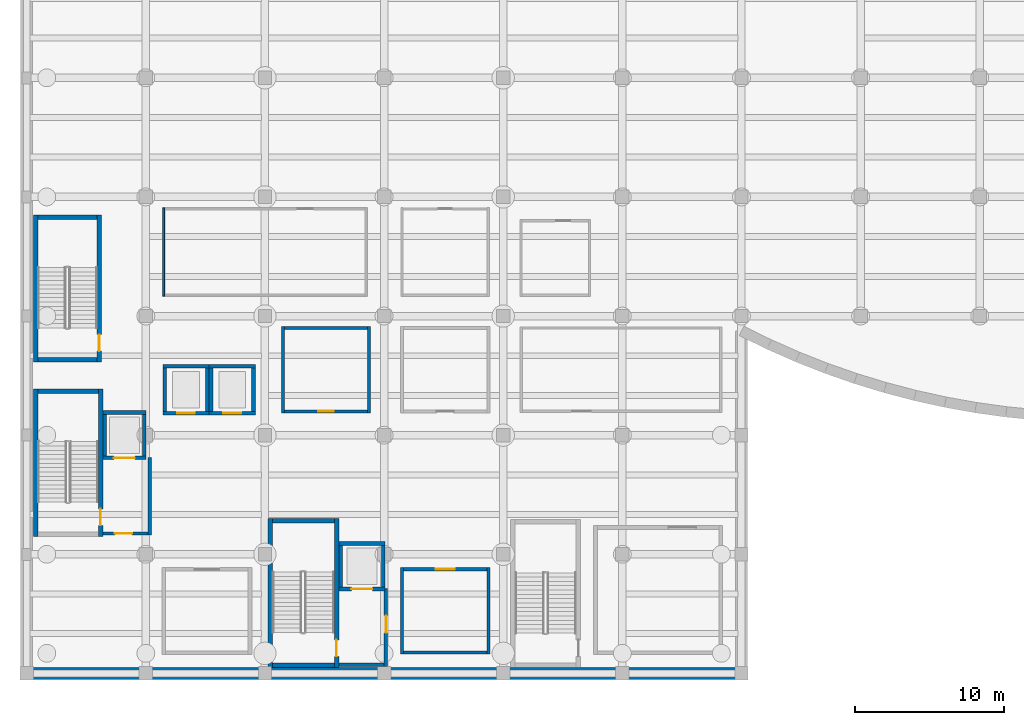
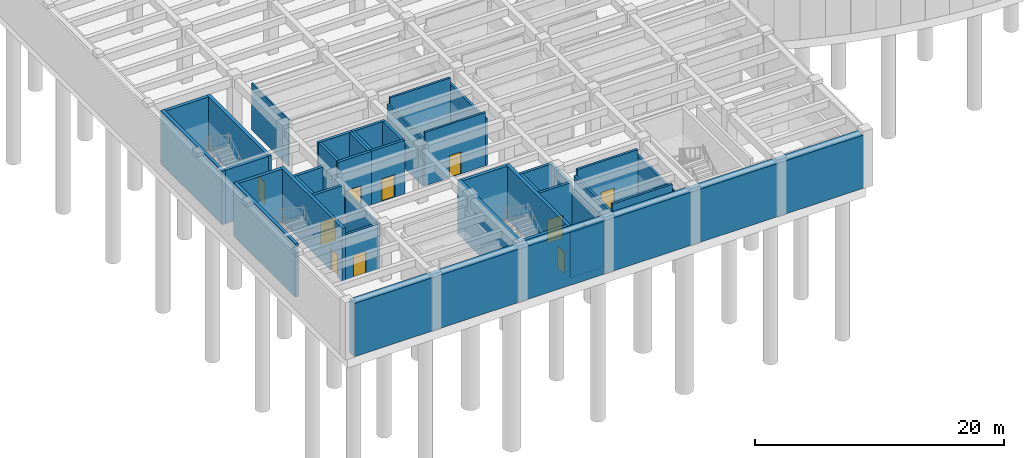
# One storey, part 6 of 18: 41 walls, 11 doors, 11 openings.
"""IFC4 building model written with IfcOpenShell, lengths in metres."""

from ifc_helpers import new_model, si_unit, direction, frame, frame_2d, origin, place, context, subcontext, project, spatial, rectangle, extrude, material, layer, layer_set, type_object, element, fill, save


model = new_model("IFC4")

# Units and contexts
model_context = context("Model", 3, precision=1e-05, world=origin(), true_north=direction((0.0, 1.0)))
body_context = subcontext(model_context, "Body", "Model", "MODEL_VIEW")
ifc_project = project(units=[si_unit("LENGTHUNIT", "METRE"), si_unit("AREAUNIT", "SQUARE_METRE"), si_unit("VOLUMEUNIT", "CUBIC_METRE"), si_unit("PLANEANGLEUNIT", "RADIAN"), si_unit("MASSUNIT", "GRAM", prefix="KILO")], contexts=[model_context])

# Site, building, storey
site_placement = place(None, origin())
site = spatial("IfcSite", under=ifc_project, at=site_placement, CompositionType="ELEMENT")
building_placement = place(site_placement, origin())
building = spatial("IfcBuilding", under=site, at=building_placement, Name="Drelvath Fold Interchange", CompositionType="ELEMENT")
storey_placement = place(building_placement, frame((0.0, 0.0, -11.199951171875)))
storey = spatial("IfcBuildingStorey", under=building, at=storey_placement, Name="B2", CompositionType="ELEMENT", Elevation=-11.199951171875)

# Wall, opening, door
ifc_material_1 = material(Name="Concrete f'c 45 MPa (6500 psi)", Category="concrete")
ifc_layer_1 = layer(ifc_material_1, 0.300048828125, Name="Concrete f'c 45 MPa (6500 psi)")
ifc_layer_set_1 = layer_set([ifc_layer_1], Name="Concrete f'c 45 MPa (6500 psi)")
wall_type_1 = type_object("IfcWallType", Name="WL-CR300", PredefinedType="SHEAR", material=ifc_layer_set_1)
wall_1_placement = place(storey_placement, frame((8.9599609375, 12.199951171875, 0.0), z_axis=(0.0, 0.0, 1.0), x_axis=(0.0, 1.0, 0.0)))
wall_1 = element("IfcWall", 1, at=wall_1_placement, inside=storey, type_object=wall_type_1, Name="ST-01 B2 east core wall", PredefinedType="SHEAR", context=body_context, shape_type="SweptSolid", body=[
    extrude(rectangle(XDim=9.900146484375, YDim=0.300048828125, at=frame_2d((4.9501953125, 0.0))), origin(), (0.0, 0.0, 1.0), 5.23486328125),
])
opening_1_placement = place(wall_1_placement, frame((0.75, 0.0, 0.0)))
opening_1 = element("IfcOpeningElement", 2, at=opening_1_placement, cuts=wall_1, Name="Opening D-B2-001", PredefinedType="OPENING", context=body_context, shape_type="SweptSolid", body=[
    extrude(rectangle(XDim=1.10009765625, YDim=2.14990234375, at=frame_2d((0.550048828125, 1.074951171875))), frame((0.0, 0.159912109375, 0.0), z_axis=(0.0, -1.0, 0.0), x_axis=(1.0, 0.0, 0.0)), (0.0, 0.0, 1.0), 0.320068359375),
])
ifc_material_2 = material(Name="Insulated Hollow Metal Door Assembly")
door_type_1 = type_object("IfcDoorType", Name="DR-ST1100", OperationType="NOTDEFINED", PredefinedType="DOOR", material=ifc_material_2)
door_1_placement = place(opening_1_placement, origin())
door_1 = element("IfcDoor", 3, at=door_1_placement, inside=storey, type_object=door_type_1, Name="ST-01 B2 stair fire door D-B2-001", OperationType="SINGLE_SWING_LEFT", OverallHeight=2.14990234375, OverallWidth=1.10009765625, PredefinedType="DOOR", context=body_context, shape_type="SweptSolid", body=[
    extrude(rectangle(XDim=1.10009765625, YDim=2.14990234375, at=frame_2d((0.550048828125, 1.074951171875))), frame((0.0, 0.02490234375, 0.0), z_axis=(0.0, -1.0, 0.0), x_axis=(1.0, 0.0, 0.0)), (0.0, 0.0, 1.0), 0.050048828125),
])
fill(opening_1, door_1)

# Walls
wall_2_placement = place(storey_placement, frame((8.81005859375, 21.949951171875, 0.0), z_axis=(0.0, 0.0, 1.0), x_axis=(-1.0, 0.0, 0.0)))
element("IfcWall", 4, at=wall_2_placement, inside=storey, type_object=wall_type_1, Name="ST-01 B2 north core wall", PredefinedType="SHEAR", context=body_context, shape_type="SweptSolid", body=[
    extrude(rectangle(XDim=4.06005859375, YDim=0.300048828125, at=frame_2d((2.030029296875, 0.0))), origin(), (0.0, 0.0, 1.0), 5.23486328125),
])
wall_3_placement = place(storey_placement, frame((4.60009765625, 22.10009765625, 0.0), z_axis=(0.0, 0.0, 1.0), x_axis=(0.0, -1.0, 0.0)))
element("IfcWall", 5, at=wall_3_placement, inside=storey, type_object=wall_type_1, Name="ST-01 B2 west core wall", PredefinedType="SHEAR", context=body_context, shape_type="SweptSolid", body=[
    extrude(rectangle(XDim=9.900146484375, YDim=0.300048828125, at=frame_2d((4.9501953125, 0.0))), origin(), (0.0, 0.0, 1.0), 5.23486328125),
])
wall_4_placement = place(storey_placement, frame((4.75, 24.050048828125, 0.0), z_axis=(0.0, 0.0, 1.0), x_axis=(1.0, 0.0, 0.0)))
element("IfcWall", 6, at=wall_4_placement, inside=storey, type_object=wall_type_1, Name="ST-02 B2 south core wall", PredefinedType="SHEAR", context=body_context, shape_type="SweptSolid", body=[
    extrude(rectangle(XDim=3.97998046875, YDim=0.300048828125, at=frame_2d((1.989990234375, 0.0))), origin(), (0.0, 0.0, 1.0), 5.23486328125),
])

# Wall, opening, door
wall_5_placement = place(storey_placement, frame((8.8798828125, 23.89990234375, 0.0), z_axis=(0.0, 0.0, 1.0), x_axis=(0.0, 1.0, 0.0)))
wall_5 = element("IfcWall", 7, at=wall_5_placement, inside=storey, type_object=wall_type_1, Name="ST-02 B2 east core wall", PredefinedType="SHEAR", context=body_context, shape_type="SweptSolid", body=[
    extrude(rectangle(XDim=9.900146484375, YDim=0.300048828125, at=frame_2d((4.9501953125, 0.0))), origin(), (0.0, 0.0, 1.0), 5.23486328125),
])
opening_2_placement = place(wall_5_placement, frame((0.75, 0.0, 0.0)))
opening_2 = element("IfcOpeningElement", 8, at=opening_2_placement, cuts=wall_5, Name="Opening D-B2-009", PredefinedType="OPENING", context=body_context, shape_type="SweptSolid", body=[
    extrude(rectangle(XDim=1.10009765625, YDim=2.14990234375, at=frame_2d((0.550048828125, 1.074951171875))), frame((0.0, 0.159912109375, 0.0), z_axis=(0.0, -1.0, 0.0), x_axis=(1.0, 0.0, 0.0)), (0.0, 0.0, 1.0), 0.320068359375),
])
door_2_placement = place(opening_2_placement, origin())
door_2 = element("IfcDoor", 9, at=door_2_placement, inside=storey, type_object=door_type_1, Name="ST-02 B2 stair fire door D-B2-009", OperationType="SINGLE_SWING_LEFT", OverallHeight=2.14990234375, OverallWidth=1.10009765625, PredefinedType="DOOR", context=body_context, shape_type="SweptSolid", body=[
    extrude(rectangle(XDim=1.10009765625, YDim=2.14990234375, at=frame_2d((0.550048828125, 1.074951171875))), frame((0.0, 0.02490234375, 0.0), z_axis=(0.0, -1.0, 0.0), x_axis=(1.0, 0.0, 0.0)), (0.0, 0.0, 1.0), 0.050048828125),
])
fill(opening_2, door_2)

# Walls
wall_6_placement = place(storey_placement, frame((8.72998046875, 33.64990234375, 0.0), z_axis=(0.0, 0.0, 1.0), x_axis=(-1.0, 0.0, 0.0)))
element("IfcWall", 10, at=wall_6_placement, inside=storey, type_object=wall_type_1, Name="ST-02 B2 north core wall", PredefinedType="SHEAR", context=body_context, shape_type="SweptSolid", body=[
    extrude(rectangle(XDim=3.97998046875, YDim=0.300048828125, at=frame_2d((1.989990234375, 0.0))), origin(), (0.0, 0.0, 1.0), 5.23486328125),
])
wall_7_placement = place(storey_placement, frame((4.60009765625, 33.800048828125, 0.0), z_axis=(0.0, 0.0, 1.0), x_axis=(0.0, -1.0, 0.0)))
element("IfcWall", 11, at=wall_7_placement, inside=storey, type_object=wall_type_1, Name="ST-02 B2 west core wall", PredefinedType="SHEAR", context=body_context, shape_type="SweptSolid", body=[
    extrude(rectangle(XDim=9.900146484375, YDim=0.300048828125, at=frame_2d((4.9501953125, 0.0))), origin(), (0.0, 0.0, 1.0), 5.23486328125),
])
wall_8_placement = place(storey_placement, frame((20.5, 3.550048828125, 0.0), z_axis=(0.0, 0.0, 1.0), x_axis=(1.0, 0.0, 0.0)))
element("IfcWall", 12, at=wall_8_placement, inside=storey, type_object=wall_type_1, Name="ST-03 B2 south core wall", PredefinedType="SHEAR", context=body_context, shape_type="SweptSolid", body=[
    extrude(rectangle(XDim=4.159912109375, YDim=0.300048828125, at=frame_2d((2.080078125, 0.0))), origin(), (0.0, 0.0, 1.0), 5.23486328125),
])

# Wall, opening, door
wall_9_placement = place(storey_placement, frame((24.81005859375, 3.39990234375, 0.0), z_axis=(0.0, 0.0, 1.0), x_axis=(0.0, 1.0, 0.0)))
wall_9 = element("IfcWall", 13, at=wall_9_placement, inside=storey, type_object=wall_type_1, Name="ST-03 B2 east core wall", PredefinedType="SHEAR", context=body_context, shape_type="SweptSolid", body=[
    extrude(rectangle(XDim=10.0, YDim=0.300048828125, at=frame_2d((5.0, 0.0))), origin(), (0.0, 0.0, 1.0), 5.23486328125),
])
opening_3_placement = place(wall_9_placement, frame((0.75, 0.0, 0.0)))
opening_3 = element("IfcOpeningElement", 14, at=opening_3_placement, cuts=wall_9, Name="Opening D-B2-017", PredefinedType="OPENING", context=body_context, shape_type="SweptSolid", body=[
    extrude(rectangle(XDim=1.10009765625, YDim=2.14990234375, at=frame_2d((0.550048828125, 1.074951171875))), frame((0.0, 0.159912109375, 0.0), z_axis=(0.0, -1.0, 0.0), x_axis=(1.0, 0.0, 0.0)), (0.0, 0.0, 1.0), 0.320068359375),
])
door_3_placement = place(opening_3_placement, origin())
door_3 = element("IfcDoor", 15, at=door_3_placement, inside=storey, type_object=door_type_1, Name="ST-03 B2 stair fire door D-B2-017", OperationType="SINGLE_SWING_LEFT", OverallHeight=2.14990234375, OverallWidth=1.10009765625, PredefinedType="DOOR", context=body_context, shape_type="SweptSolid", body=[
    extrude(rectangle(XDim=1.10009765625, YDim=2.14990234375, at=frame_2d((0.550048828125, 1.074951171875))), frame((0.0, 0.02490234375, 0.0), z_axis=(0.0, -1.0, 0.0), x_axis=(1.0, 0.0, 0.0)), (0.0, 0.0, 1.0), 0.050048828125),
])
fill(opening_3, door_3)

# Walls
wall_10_placement = place(storey_placement, frame((24.659912109375, 13.25, 0.0), z_axis=(0.0, 0.0, 1.0), x_axis=(-1.0, 0.0, 0.0)))
element("IfcWall", 16, at=wall_10_placement, inside=storey, type_object=wall_type_1, Name="ST-03 B2 north core wall", PredefinedType="SHEAR", context=body_context, shape_type="SweptSolid", body=[
    extrude(rectangle(XDim=4.159912109375, YDim=0.300048828125, at=frame_2d((2.080078125, 0.0))), origin(), (0.0, 0.0, 1.0), 5.23486328125),
])
wall_11_placement = place(storey_placement, frame((20.35009765625, 13.39990234375, 0.0), z_axis=(0.0, 0.0, 1.0), x_axis=(0.0, -1.0, 0.0)))
element("IfcWall", 17, at=wall_11_placement, inside=storey, type_object=wall_type_1, Name="ST-03 B2 west core wall", PredefinedType="SHEAR", context=body_context, shape_type="SweptSolid", body=[
    extrude(rectangle(XDim=10.0, YDim=0.300048828125, at=frame_2d((5.0, 0.0))), origin(), (0.0, 0.0, 1.0), 5.23486328125),
])
ifc_layer_2 = layer(ifc_material_1, 0.800048828125, Name="Concrete f'c 45 MPa (6500 psi)")
ifc_layer_set_2 = layer_set([ifc_layer_2], Name="Concrete f'c 45 MPa (6500 psi)")
wall_type_2 = type_object("IfcWallType", Name="WL-DW800", PredefinedType="SOLIDWALL", material=ifc_layer_set_2)
wall_12_placement = place(storey_placement, frame((4.39990234375, 3.0, 0.0), z_axis=(0.0, 0.0, 1.0), x_axis=(1.0, 0.0, 0.0)))
element("IfcWall", 18, at=wall_12_placement, inside=storey, type_object=wall_type_2, Name="B2 diaphragm wall 1", PredefinedType="SOLIDWALL", context=body_context, shape_type="SweptSolid", body=[
    extrude(rectangle(XDim=47.2001953125, YDim=0.800048828125, at=frame_2d((23.60009765625, 0.0))), origin(), (0.0, 0.0, 1.0), 5.219970703125),
])

# Wall, opening, door
ifc_layer_3 = layer(ifc_material_1, 0.219970703125, Name="Concrete f'c 45 MPa (6500 psi)")
ifc_layer_set_3 = layer_set([ifc_layer_3], Name="Concrete f'c 45 MPa (6500 psi)")
wall_type_3 = type_object("IfcWallType", Name="WL-FF220", PredefinedType="SOLIDWALL", material=ifc_layer_set_3)
wall_13_placement = place(storey_placement, frame((9.1201171875, 12.389892578125, 0.0), z_axis=(0.0, 0.0, 1.0), x_axis=(1.0, 0.0, 0.0)))
wall_13 = element("IfcWall", 19, at=wall_13_placement, inside=storey, type_object=wall_type_3, Name="Firefighting Lift Lobby FF-1 B2 south rated wall", PredefinedType="SOLIDWALL", context=body_context, shape_type="SweptSolid", body=[
    extrude(rectangle(XDim=3.039794921875, YDim=0.219970703125, at=frame_2d((1.52001953125, 0.0))), origin(), (0.0, 0.0, 1.0), 4.43505859375),
])
opening_4_placement = place(wall_13_placement, frame((0.804931640625, 0.0, 0.0)))
opening_4 = element("IfcOpeningElement", 20, at=opening_4_placement, cuts=wall_13, Name="Opening D-B2-048", PredefinedType="OPENING", context=body_context, shape_type="SweptSolid", body=[
    extrude(rectangle(XDim=1.14990234375, YDim=2.14990234375, at=frame_2d((0.574951171875, 1.074951171875))), frame((0.0, 0.119873046875, 0.0), z_axis=(0.0, -1.0, 0.0), x_axis=(1.0, 0.0, 0.0)), (0.0, 0.0, 1.0), 0.239990234375),
])
door_type_2 = type_object("IfcDoorType", Name="DR-FF1150", OperationType="NOTDEFINED", PredefinedType="DOOR", material=ifc_material_2)
door_4_placement = place(opening_4_placement, frame((1.14990234375, 0.0, 0.0), z_axis=(0.0, 0.0, 1.0), x_axis=(-1.0, 0.0, 0.0)))
door_4 = element("IfcDoor", 21, at=door_4_placement, inside=storey, type_object=door_type_2, Name="Firefighting Lift Lobby FF-1 B2 corridor fire door D-B2-048", OperationType="SINGLE_SWING_RIGHT", OverallHeight=2.14990234375, OverallWidth=1.14990234375, PredefinedType="DOOR", context=body_context, shape_type="SweptSolid", body=[
    extrude(rectangle(XDim=1.14990234375, YDim=2.14990234375, at=frame_2d((0.574951171875, 1.074951171875))), frame((0.0, 0.02490234375, 0.0), z_axis=(0.0, -1.0, 0.0), x_axis=(1.0, 0.0, 0.0)), (0.0, 0.0, 1.0), 0.050048828125),
])
fill(opening_4, door_4)

# Walls
wall_14_placement = place(storey_placement, frame((12.27001953125, 12.280029296875, 0.0), z_axis=(0.0, 0.0, 1.0), x_axis=(0.0, 1.0, 0.0)))
element("IfcWall", 22, at=wall_14_placement, inside=storey, type_object=wall_type_3, Name="Firefighting Lift Lobby FF-1 B2 east rated wall", PredefinedType="SOLIDWALL", context=body_context, shape_type="SweptSolid", body=[
    extrude(rectangle(XDim=5.2099609375, YDim=0.219970703125, at=frame_2d((2.60498046875, 0.0))), origin(), (0.0, 0.0, 1.0), 4.43505859375),
])
wall_15_placement = place(storey_placement, frame((24.969970703125, 3.590087890625, 0.0), z_axis=(0.0, 0.0, 1.0), x_axis=(1.0, 0.0, 0.0)))
element("IfcWall", 23, at=wall_15_placement, inside=storey, type_object=wall_type_3, Name="Firefighting Lift Lobby FF-2 B2 south rated wall", PredefinedType="SOLIDWALL", context=body_context, shape_type="SweptSolid", body=[
    extrude(rectangle(XDim=3.0400390625, YDim=0.219970703125, at=frame_2d((1.52001953125, 0.0))), origin(), (0.0, 0.0, 1.0), 4.43505859375),
])

# Wall, opening, door
wall_16_placement = place(storey_placement, frame((28.1201171875, 3.47998046875, 0.0), z_axis=(0.0, 0.0, 1.0), x_axis=(0.0, 1.0, 0.0)))
wall_16 = element("IfcWall", 24, at=wall_16_placement, inside=storey, type_object=wall_type_3, Name="Firefighting Lift Lobby FF-2 B2 east rated wall", PredefinedType="SOLIDWALL", context=body_context, shape_type="SweptSolid", body=[
    extrude(rectangle(XDim=5.2099609375, YDim=0.219970703125, at=frame_2d((2.60498046875, 0.0))), origin(), (0.0, 0.0, 1.0), 4.43505859375),
])
opening_5_placement = place(wall_16_placement, frame((2.2451171875, 0.0, 0.0)))
opening_5 = element("IfcOpeningElement", 25, at=opening_5_placement, cuts=wall_16, Name="Opening D-B2-056", PredefinedType="OPENING", context=body_context, shape_type="SweptSolid", body=[
    extrude(rectangle(XDim=1.14990234375, YDim=2.14990234375, at=frame_2d((0.574951171875, 1.074951171875))), frame((0.0, 0.119873046875, 0.0), z_axis=(0.0, -1.0, 0.0), x_axis=(1.0, 0.0, 0.0)), (0.0, 0.0, 1.0), 0.239990234375),
])
door_5_placement = place(opening_5_placement, origin())
door_5 = element("IfcDoor", 26, at=door_5_placement, inside=storey, type_object=door_type_2, Name="Firefighting Lift Lobby FF-2 B2 corridor fire door D-B2-056", OperationType="SINGLE_SWING_RIGHT", OverallHeight=2.14990234375, OverallWidth=1.14990234375, PredefinedType="DOOR", context=body_context, shape_type="SweptSolid", body=[
    extrude(rectangle(XDim=1.14990234375, YDim=2.14990234375, at=frame_2d((0.574951171875, 1.074951171875))), frame((0.0, 0.02490234375, 0.0), z_axis=(0.0, -1.0, 0.0), x_axis=(1.0, 0.0, 0.0)), (0.0, 0.0, 1.0), 0.050048828125),
])
fill(opening_5, door_5)

ifc_material_3 = material(Name="Fire-Rated Gypsum Board Assembly")
ifc_layer_4 = layer(ifc_material_3, 0.195068359375, Name="Fire-Rated Gypsum Board Assembly")
ifc_layer_set_4 = layer_set([ifc_layer_4], Name="Fire-Rated Gypsum Board Assembly")
wall_type_4 = type_object("IfcWallType", Name="WL-FR195", PredefinedType="PARTITIONING", material=ifc_layer_set_4)
wall_17_placement = place(storey_placement, frame((21.297119140625, 20.60009765625, 0.0), z_axis=(0.0, 0.0, 1.0), x_axis=(1.0, 0.0, 0.0)))
wall_17 = element("IfcWall", 27, at=wall_17_placement, inside=storey, type_object=wall_type_4, Name="Wayside Signalling Relay Room S partition", PredefinedType="PARTITIONING", context=body_context, shape_type="SweptSolid", body=[
    extrude(rectangle(XDim=5.60498046875, YDim=0.195068359375, at=frame_2d((2.802490234375, 0.0))), origin(), (0.0, 0.0, 1.0), 5.219970703125),
])
opening_6_placement = place(wall_17_placement, frame((2.27197265625, 0.0, 0.0)))
opening_6 = element("IfcOpeningElement", 28, at=opening_6_placement, cuts=wall_17, Name="Opening D-B2-073", PredefinedType="OPENING", context=body_context, shape_type="SweptSolid", body=[
    extrude(rectangle(XDim=1.06005859375, YDim=2.159912109375, at=frame_2d((0.530029296875, 1.080078125))), frame((0.0, 0.107421875, 0.0), z_axis=(0.0, -1.0, 0.0), x_axis=(1.0, 0.0, 0.0)), (0.0, 0.0, 1.0), 0.215087890625),
])
door_type_3 = type_object("IfcDoorType", Name="DR-FD106", OperationType="NOTDEFINED", PredefinedType="DOOR", material=ifc_material_2)
door_6_placement = place(opening_6_placement, origin())
door_6 = element("IfcDoor", 29, at=door_6_placement, inside=storey, type_object=door_type_3, Name="Wayside Signalling Relay Room door D-B2-073", OperationType="SINGLE_SWING_RIGHT", OverallHeight=2.159912109375, OverallWidth=1.06005859375, PredefinedType="DOOR", context=body_context, shape_type="SweptSolid", body=[
    extrude(rectangle(XDim=1.06005859375, YDim=2.159912109375, at=frame_2d((0.530029296875, 1.080078125))), frame((0.0, 0.02490234375, 0.0), z_axis=(0.0, -1.0, 0.0), x_axis=(1.0, 0.0, 0.0)), (0.0, 0.0, 1.0), 0.050048828125),
])
fill(opening_6, door_6)

# Walls
wall_18_placement = place(storey_placement, frame((27.0, 20.5029296875, 0.0), z_axis=(0.0, 0.0, 1.0), x_axis=(0.0, 1.0, 0.0)))
element("IfcWall", 30, at=wall_18_placement, inside=storey, type_object=wall_type_4, Name="Wayside Signalling Relay Room E partition", PredefinedType="PARTITIONING", context=body_context, shape_type="SweptSolid", body=[
    extrude(rectangle(XDim=5.794189453125, YDim=0.195068359375, at=frame_2d((2.89697265625, 0.0))), origin(), (0.0, 0.0, 1.0), 4.5849609375),
])
wall_19_placement = place(storey_placement, frame((26.902099609375, 26.199951171875, 0.0), z_axis=(0.0, 0.0, 1.0), x_axis=(-1.0, 0.0, 0.0)))
element("IfcWall", 31, at=wall_19_placement, inside=storey, type_object=wall_type_4, Name="Wayside Signalling Relay Room N partition", PredefinedType="PARTITIONING", context=body_context, shape_type="SweptSolid", body=[
    extrude(rectangle(XDim=5.60498046875, YDim=0.195068359375, at=frame_2d((2.802490234375, 0.0))), origin(), (0.0, 0.0, 1.0), 5.219970703125),
])
wall_20_placement = place(storey_placement, frame((21.199951171875, 26.297119140625, 0.0), z_axis=(0.0, 0.0, 1.0), x_axis=(0.0, -1.0, 0.0)))
element("IfcWall", 32, at=wall_20_placement, inside=storey, type_object=wall_type_4, Name="Wayside Signalling Relay Room W partition", PredefinedType="PARTITIONING", context=body_context, shape_type="SweptSolid", body=[
    extrude(rectangle(XDim=5.794189453125, YDim=0.195068359375, at=frame_2d((2.89697265625, 0.0))), origin(), (0.0, 0.0, 1.0), 4.5849609375),
])
ifc_material_4 = material(Name="Concrete f'c 35 MPa (5000 psi)", Category="concrete")
ifc_layer_5 = layer(ifc_material_4, 0.2099609375, Name="Concrete f'c 35 MPa (5000 psi)")
ifc_layer_set_5 = layer_set([ifc_layer_5], Name="Concrete f'c 35 MPa (5000 psi)")
wall_type_5 = type_object("IfcWallType", Name="WL-FR210", PredefinedType="SOLIDWALL", material=ifc_layer_set_5)
wall_21_placement = place(storey_placement, frame((29.304931640625, 4.39990234375, 0.0), z_axis=(0.0, 0.0, 1.0), x_axis=(1.0, 0.0, 0.0)))
element("IfcWall", 33, at=wall_21_placement, inside=storey, type_object=wall_type_5, Name="Emergency UPS Battery Room S partition", PredefinedType="SOLIDWALL", context=body_context, shape_type="SweptSolid", body=[
    extrude(rectangle(XDim=5.590087890625, YDim=0.2099609375, at=frame_2d((2.794921875, 0.0))), origin(), (0.0, 0.0, 1.0), 5.219970703125),
])
wall_22_placement = place(storey_placement, frame((35.0, 4.294921875, 0.0), z_axis=(0.0, 0.0, 1.0), x_axis=(0.0, 1.0, 0.0)))
element("IfcWall", 34, at=wall_22_placement, inside=storey, type_object=wall_type_5, Name="Emergency UPS Battery Room E partition", PredefinedType="SOLIDWALL", context=body_context, shape_type="SweptSolid", body=[
    extrude(rectangle(XDim=5.81005859375, YDim=0.2099609375, at=frame_2d((2.905029296875, 0.0))), origin(), (0.0, 0.0, 1.0), 4.5849609375),
])

# Wall, opening, door
wall_23_placement = place(storey_placement, frame((34.89501953125, 10.0, 0.0), z_axis=(0.0, 0.0, 1.0), x_axis=(-1.0, 0.0, 0.0)))
wall_23 = element("IfcWall", 35, at=wall_23_placement, inside=storey, type_object=wall_type_5, Name="Emergency UPS Battery Room N partition", PredefinedType="SOLIDWALL", context=body_context, shape_type="SweptSolid", body=[
    extrude(rectangle(XDim=5.590087890625, YDim=0.2099609375, at=frame_2d((2.794921875, 0.0))), origin(), (0.0, 0.0, 1.0), 5.219970703125),
])
opening_7_placement = place(wall_23_placement, frame((2.1650390625, 0.0, 0.0)))
opening_7 = element("IfcOpeningElement", 36, at=opening_7_placement, cuts=wall_23, Name="Opening D-B2-071", PredefinedType="OPENING", context=body_context, shape_type="SweptSolid", body=[
    extrude(rectangle(XDim=1.260009765625, YDim=2.199951171875, at=frame_2d((0.6298828125, 1.10009765625))), frame((0.0, 0.114990234375, 0.0), z_axis=(0.0, -1.0, 0.0), x_axis=(1.0, 0.0, 0.0)), (0.0, 0.0, 1.0), 0.22998046875),
])
door_type_4 = type_object("IfcDoorType", Name="DR-FD126", OperationType="NOTDEFINED", PredefinedType="DOOR", material=ifc_material_2)
door_7_placement = place(opening_7_placement, origin())
door_7 = element("IfcDoor", 37, at=door_7_placement, inside=storey, type_object=door_type_4, Name="Emergency UPS Battery Room door D-B2-071", OperationType="SINGLE_SWING_LEFT", OverallHeight=2.199951171875, OverallWidth=1.260009765625, PredefinedType="DOOR", context=body_context, shape_type="SweptSolid", body=[
    extrude(rectangle(XDim=1.260009765625, YDim=2.199951171875, at=frame_2d((0.6298828125, 1.10009765625))), frame((0.0, 0.02490234375, 0.0), z_axis=(0.0, -1.0, 0.0), x_axis=(1.0, 0.0, 0.0)), (0.0, 0.0, 1.0), 0.050048828125),
])
fill(opening_7, door_7)

# Walls
wall_24_placement = place(storey_placement, frame((29.199951171875, 10.10498046875, 0.0), z_axis=(0.0, 0.0, 1.0), x_axis=(0.0, -1.0, 0.0)))
element("IfcWall", 38, at=wall_24_placement, inside=storey, type_object=wall_type_5, Name="Emergency UPS Battery Room W partition", PredefinedType="SOLIDWALL", context=body_context, shape_type="SweptSolid", body=[
    extrude(rectangle(XDim=5.81005859375, YDim=0.2099609375, at=frame_2d((2.905029296875, 0.0))), origin(), (0.0, 0.0, 1.0), 4.5849609375),
])
ifc_material_5 = material(Name="Acoustic Gypsum Board Partition Assembly")
ifc_layer_6 = layer(ifc_material_5, 0.1298828125, Name="Acoustic Gypsum Board Partition Assembly")
ifc_layer_set_6 = layer_set([ifc_layer_6], Name="Acoustic Gypsum Board Partition Assembly")
wall_type_6 = type_object("IfcWallType", Name="WL-PT130", PredefinedType="PARTITIONING", material=ifc_layer_set_6)
wall_25_placement = place(storey_placement, frame((13.199951171875, 34.264892578125, 0.0), z_axis=(0.0, 0.0, 1.0), x_axis=(0.0, -1.0, 0.0)))
element("IfcWall", 39, at=wall_25_placement, inside=storey, type_object=wall_type_6, Name="Platform Staff Mess and Briefing W partition", PredefinedType="PARTITIONING", context=body_context, shape_type="SweptSolid", body=[
    extrude(rectangle(XDim=5.929931640625, YDim=0.1298828125, at=frame_2d((2.96484375, 0.0))), origin(), (0.0, 0.0, 1.0), 4.5849609375),
])

# Wall, opening, door
ifc_layer_7 = layer(ifc_material_1, 0.25, Name="Concrete f'c 45 MPa (6500 psi)")
ifc_layer_set_7 = layer_set([ifc_layer_7], Name="Concrete f'c 45 MPa (6500 psi)")
wall_type_7 = type_object("IfcWallType", Name="WL-SH250", PredefinedType="SOLIDWALL", material=ifc_layer_set_7)
wall_26_placement = place(storey_placement, frame((9.110107421875, 17.47509765625, 0.0), z_axis=(0.0, 0.0, 1.0), x_axis=(1.0, 0.0, 0.0)))
wall_26 = element("IfcWall", 40, at=wall_26_placement, inside=storey, type_object=wall_type_7, Name="LF-FF1 B2 south shaft wall", PredefinedType="SOLIDWALL", context=body_context, shape_type="SweptSolid", body=[
    extrude(rectangle(XDim=2.89990234375, YDim=0.25, at=frame_2d((1.449951171875, 0.0))), origin(), (0.0, 0.0, 1.0), 5.23486328125),
])
opening_8_placement = place(wall_26_placement, frame((0.75, 0.0, 0.0)))
opening_8 = element("IfcOpeningElement", 41, at=opening_8_placement, cuts=wall_26, Name="Opening LD-LF-FF1-B2", PredefinedType="OPENING", context=body_context, shape_type="SweptSolid", body=[
    extrude(rectangle(XDim=1.39990234375, YDim=2.25, at=frame_2d((0.699951171875, 1.125))), frame((0.0, 0.135009765625, 0.0), z_axis=(0.0, -1.0, 0.0), x_axis=(1.0, 0.0, 0.0)), (0.0, 0.0, 1.0), 0.27001953125),
])
door_type_5 = type_object("IfcDoorType", Name="DR-LD1400", OperationType="DOUBLE_DOOR_SLIDING", PredefinedType="DOOR", material=ifc_material_2)
door_8_placement = place(opening_8_placement, frame((1.39990234375, 0.0, 0.0), z_axis=(0.0, 0.0, 1.0), x_axis=(-1.0, 0.0, 0.0)))
door_8 = element("IfcDoor", 42, at=door_8_placement, inside=storey, type_object=door_type_5, Name="LF-FF1 B2 lift landing sliding door LD-LF-FF1-B2", OperationType="DOUBLE_DOOR_SLIDING", OverallHeight=2.25, OverallWidth=1.39990234375, PredefinedType="DOOR", context=body_context, shape_type="SweptSolid", body=[
    extrude(rectangle(XDim=1.39990234375, YDim=2.25, at=frame_2d((0.699951171875, 1.125))), frame((0.0, 0.02490234375, 0.0), z_axis=(0.0, -1.0, 0.0), x_axis=(1.0, 0.0, 0.0)), (0.0, 0.0, 1.0), 0.050048828125),
])
fill(opening_8, door_8)

# Walls
wall_27_placement = place(storey_placement, frame((12.010009765625, 20.52490234375, 0.0), z_axis=(0.0, 0.0, 1.0), x_axis=(-1.0, 0.0, 0.0)))
element("IfcWall", 43, at=wall_27_placement, inside=storey, type_object=wall_type_7, Name="LF-FF1 B2 north shaft wall", PredefinedType="SOLIDWALL", context=body_context, shape_type="SweptSolid", body=[
    extrude(rectangle(XDim=2.89990234375, YDim=0.25, at=frame_2d((1.449951171875, 0.0))), origin(), (0.0, 0.0, 1.0), 5.23486328125),
])
for number, where, z_axis, x_axis, name in (
    (44, (11.885009765625, 17.60009765625, 0.0), (0.0, 0.0, 1.0), (0.0, 1.0, 0.0), "LF-FF1 B2 east shaft wall"),
    (45, (9.235107421875, 20.39990234375, 0.0), (0.0, 0.0, 1.0), (0.0, -1.0, 0.0), "LF-FF1 B2 west shaft wall"),
):
    element("IfcWall", number, at=place(storey_placement, frame(where, z_axis=z_axis, x_axis=x_axis)), inside=storey, type_object=wall_type_7, Name=name, PredefinedType="SOLIDWALL", context=body_context, shape_type="SweptSolid", body=[
        extrude(rectangle(XDim=2.7998046875, YDim=0.25, at=frame_2d((1.39990234375, 0.0))), origin(), (0.0, 0.0, 1.0), 5.23486328125),
    ])

# Wall, opening, door
wall_28_placement = place(storey_placement, frame((24.9599609375, 8.675048828125, 0.0), z_axis=(0.0, 0.0, 1.0), x_axis=(1.0, 0.0, 0.0)))
wall_28 = element("IfcWall", 46, at=wall_28_placement, inside=storey, type_object=wall_type_7, Name="LF-FF2 B2 south shaft wall", PredefinedType="SOLIDWALL", context=body_context, shape_type="SweptSolid", body=[
    extrude(rectangle(XDim=3.10009765625, YDim=0.25, at=frame_2d((1.550048828125, 0.0))), origin(), (0.0, 0.0, 1.0), 5.23486328125),
])
opening_9_placement = place(wall_28_placement, frame((0.85009765625, 0.0, 0.0)))
opening_9 = element("IfcOpeningElement", 47, at=opening_9_placement, cuts=wall_28, Name="Opening LD-LF-FF2-B2", PredefinedType="OPENING", context=body_context, shape_type="SweptSolid", body=[
    extrude(rectangle(XDim=1.39990234375, YDim=2.25, at=frame_2d((0.699951171875, 1.125))), frame((0.0, 0.135009765625, 0.0), z_axis=(0.0, -1.0, 0.0), x_axis=(1.0, 0.0, 0.0)), (0.0, 0.0, 1.0), 0.27001953125),
])
door_9_placement = place(opening_9_placement, frame((1.39990234375, 0.0, 0.0), z_axis=(0.0, 0.0, 1.0), x_axis=(-1.0, 0.0, 0.0)))
door_9 = element("IfcDoor", 48, at=door_9_placement, inside=storey, type_object=door_type_5, Name="LF-FF2 B2 lift landing sliding door LD-LF-FF2-B2", OperationType="DOUBLE_DOOR_SLIDING", OverallHeight=2.25, OverallWidth=1.39990234375, PredefinedType="DOOR", context=body_context, shape_type="SweptSolid", body=[
    extrude(rectangle(XDim=1.39990234375, YDim=2.25, at=frame_2d((0.699951171875, 1.125))), frame((0.0, 0.02490234375, 0.0), z_axis=(0.0, -1.0, 0.0), x_axis=(1.0, 0.0, 0.0)), (0.0, 0.0, 1.0), 0.050048828125),
])
fill(opening_9, door_9)

# Walls
wall_29_placement = place(storey_placement, frame((28.06005859375, 11.72509765625, 0.0), z_axis=(0.0, 0.0, 1.0), x_axis=(-1.0, 0.0, 0.0)))
element("IfcWall", 49, at=wall_29_placement, inside=storey, type_object=wall_type_7, Name="LF-FF2 B2 north shaft wall", PredefinedType="SOLIDWALL", context=body_context, shape_type="SweptSolid", body=[
    extrude(rectangle(XDim=3.10009765625, YDim=0.25, at=frame_2d((1.550048828125, 0.0))), origin(), (0.0, 0.0, 1.0), 5.23486328125),
])
for number, where, z_axis, x_axis, name in (
    (50, (27.93505859375, 8.800048828125, 0.0), (0.0, 0.0, 1.0), (0.0, 1.0, 0.0), "LF-FF2 B2 east shaft wall"),
    (51, (25.0849609375, 11.60009765625, 0.0), (0.0, 0.0, 1.0), (0.0, -1.0, 0.0), "LF-FF2 B2 west shaft wall"),
):
    element("IfcWall", number, at=place(storey_placement, frame(where, z_axis=z_axis, x_axis=x_axis)), inside=storey, type_object=wall_type_7, Name=name, PredefinedType="SOLIDWALL", context=body_context, shape_type="SweptSolid", body=[
        extrude(rectangle(XDim=2.800048828125, YDim=0.25, at=frame_2d((1.39990234375, 0.0))), origin(), (0.0, 0.0, 1.0), 5.23486328125),
    ])

# Wall, opening, door
wall_30_placement = place(storey_placement, frame((13.14990234375, 20.47509765625, 0.0), z_axis=(0.0, 0.0, 1.0), x_axis=(1.0, 0.0, 0.0)))
wall_30 = element("IfcWall", 52, at=wall_30_placement, inside=storey, type_object=wall_type_7, Name="LF-01 B2 south shaft wall", PredefinedType="SOLIDWALL", context=body_context, shape_type="SweptSolid", body=[
    extrude(rectangle(XDim=3.10009765625, YDim=0.25, at=frame_2d((1.550048828125, 0.0))), origin(), (0.0, 0.0, 1.0), 5.23486328125),
])
opening_10_placement = place(wall_30_placement, frame((0.949951171875, 0.0, 0.0)))
opening_10 = element("IfcOpeningElement", 53, at=opening_10_placement, cuts=wall_30, Name="Opening LD-LF-01-B2", PredefinedType="OPENING", context=body_context, shape_type="SweptSolid", body=[
    extrude(rectangle(XDim=1.199951171875, YDim=2.199951171875, at=frame_2d((0.60009765625, 1.10009765625))), frame((0.0, 0.135009765625, 0.0), z_axis=(0.0, -1.0, 0.0), x_axis=(1.0, 0.0, 0.0)), (0.0, 0.0, 1.0), 0.27001953125),
])
door_type_6 = type_object("IfcDoorType", Name="DR-LD1200", OperationType="DOUBLE_DOOR_SLIDING", PredefinedType="DOOR", material=ifc_material_2)
door_10_placement = place(opening_10_placement, frame((1.199951171875, 0.0, 0.0), z_axis=(0.0, 0.0, 1.0), x_axis=(-1.0, 0.0, 0.0)))
door_10 = element("IfcDoor", 54, at=door_10_placement, inside=storey, type_object=door_type_6, Name="LF-01 B2 lift landing sliding door LD-LF-01-B2", OperationType="DOUBLE_DOOR_SLIDING", OverallHeight=2.199951171875, OverallWidth=1.199951171875, PredefinedType="DOOR", context=body_context, shape_type="SweptSolid", body=[
    extrude(rectangle(XDim=1.199951171875, YDim=2.199951171875, at=frame_2d((0.60009765625, 1.10009765625))), frame((0.0, 0.02490234375, 0.0), z_axis=(0.0, -1.0, 0.0), x_axis=(1.0, 0.0, 0.0)), (0.0, 0.0, 1.0), 0.050048828125),
])
fill(opening_10, door_10)

# Walls
wall_31_placement = place(storey_placement, frame((16.25, 23.625, 0.0), z_axis=(0.0, 0.0, 1.0), x_axis=(-1.0, 0.0, 0.0)))
element("IfcWall", 55, at=wall_31_placement, inside=storey, type_object=wall_type_7, Name="LF-01 B2 north shaft wall", PredefinedType="SOLIDWALL", context=body_context, shape_type="SweptSolid", body=[
    extrude(rectangle(XDim=3.10009765625, YDim=0.25, at=frame_2d((1.550048828125, 0.0))), origin(), (0.0, 0.0, 1.0), 5.23486328125),
])
for number, where, z_axis, x_axis, name in (
    (56, (16.125, 20.60009765625, 0.0), (0.0, 0.0, 1.0), (0.0, 1.0, 0.0), "LF-01 B2 east shaft wall"),
    (57, (13.27490234375, 23.5, 0.0), (0.0, 0.0, 1.0), (0.0, -1.0, 0.0), "LF-01 B2 west shaft wall"),
):
    element("IfcWall", number, at=place(storey_placement, frame(where, z_axis=z_axis, x_axis=x_axis)), inside=storey, type_object=wall_type_7, Name=name, PredefinedType="SOLIDWALL", context=body_context, shape_type="SweptSolid", body=[
        extrude(rectangle(XDim=2.89990234375, YDim=0.25, at=frame_2d((1.449951171875, 0.0))), origin(), (0.0, 0.0, 1.0), 5.23486328125),
    ])

# Wall, opening, door
wall_32_placement = place(storey_placement, frame((16.25, 20.47509765625, 0.0), z_axis=(0.0, 0.0, 1.0), x_axis=(1.0, 0.0, 0.0)))
wall_32 = element("IfcWall", 58, at=wall_32_placement, inside=storey, type_object=wall_type_7, Name="LF-02 B2 south shaft wall", PredefinedType="SOLIDWALL", context=body_context, shape_type="SweptSolid", body=[
    extrude(rectangle(XDim=3.10009765625, YDim=0.25, at=frame_2d((1.550048828125, 0.0))), origin(), (0.0, 0.0, 1.0), 5.23486328125),
])
opening_11_placement = place(wall_32_placement, frame((0.949951171875, 0.0, 0.0)))
opening_11 = element("IfcOpeningElement", 59, at=opening_11_placement, cuts=wall_32, Name="Opening LD-LF-02-B2", PredefinedType="OPENING", context=body_context, shape_type="SweptSolid", body=[
    extrude(rectangle(XDim=1.199951171875, YDim=2.199951171875, at=frame_2d((0.60009765625, 1.10009765625))), frame((0.0, 0.135009765625, 0.0), z_axis=(0.0, -1.0, 0.0), x_axis=(1.0, 0.0, 0.0)), (0.0, 0.0, 1.0), 0.27001953125),
])
door_11_placement = place(opening_11_placement, frame((1.199951171875, 0.0, 0.0), z_axis=(0.0, 0.0, 1.0), x_axis=(-1.0, 0.0, 0.0)))
door_11 = element("IfcDoor", 60, at=door_11_placement, inside=storey, type_object=door_type_6, Name="LF-02 B2 lift landing sliding door LD-LF-02-B2", OperationType="DOUBLE_DOOR_SLIDING", OverallHeight=2.199951171875, OverallWidth=1.199951171875, PredefinedType="DOOR", context=body_context, shape_type="SweptSolid", body=[
    extrude(rectangle(XDim=1.199951171875, YDim=2.199951171875, at=frame_2d((0.60009765625, 1.10009765625))), frame((0.0, 0.02490234375, 0.0), z_axis=(0.0, -1.0, 0.0), x_axis=(1.0, 0.0, 0.0)), (0.0, 0.0, 1.0), 0.050048828125),
])
fill(opening_11, door_11)

# Walls
wall_33_placement = place(storey_placement, frame((19.35009765625, 23.625, 0.0), z_axis=(0.0, 0.0, 1.0), x_axis=(-1.0, 0.0, 0.0)))
element("IfcWall", 61, at=wall_33_placement, inside=storey, type_object=wall_type_7, Name="LF-02 B2 north shaft wall", PredefinedType="SOLIDWALL", context=body_context, shape_type="SweptSolid", body=[
    extrude(rectangle(XDim=3.10009765625, YDim=0.25, at=frame_2d((1.550048828125, 0.0))), origin(), (0.0, 0.0, 1.0), 5.23486328125),
])
for number, where, z_axis, x_axis, name in (
    (62, (19.22509765625, 20.60009765625, 0.0), (0.0, 0.0, 1.0), (0.0, 1.0, 0.0), "LF-02 B2 east shaft wall"),
    (63, (16.375, 23.5, 0.0), (0.0, 0.0, 1.0), (0.0, -1.0, 0.0), "LF-02 B2 west shaft wall"),
):
    element("IfcWall", number, at=place(storey_placement, frame(where, z_axis=z_axis, x_axis=x_axis)), inside=storey, type_object=wall_type_7, Name=name, PredefinedType="SOLIDWALL", context=body_context, shape_type="SweptSolid", body=[
        extrude(rectangle(XDim=2.89990234375, YDim=0.25, at=frame_2d((1.449951171875, 0.0))), origin(), (0.0, 0.0, 1.0), 5.23486328125),
    ])

save(model, "model.ifc")
